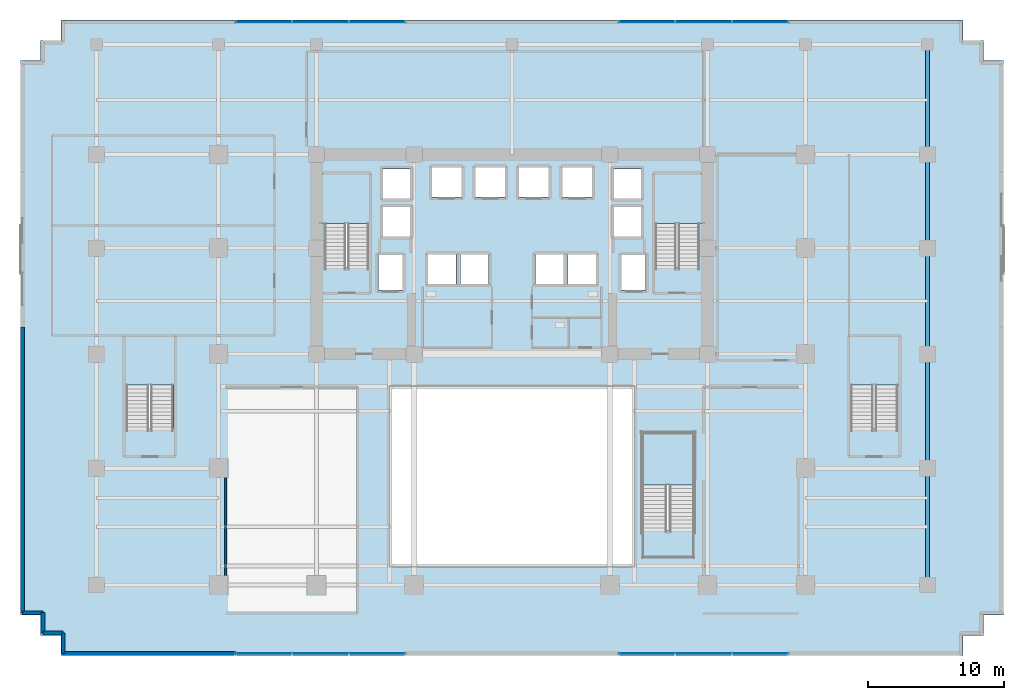
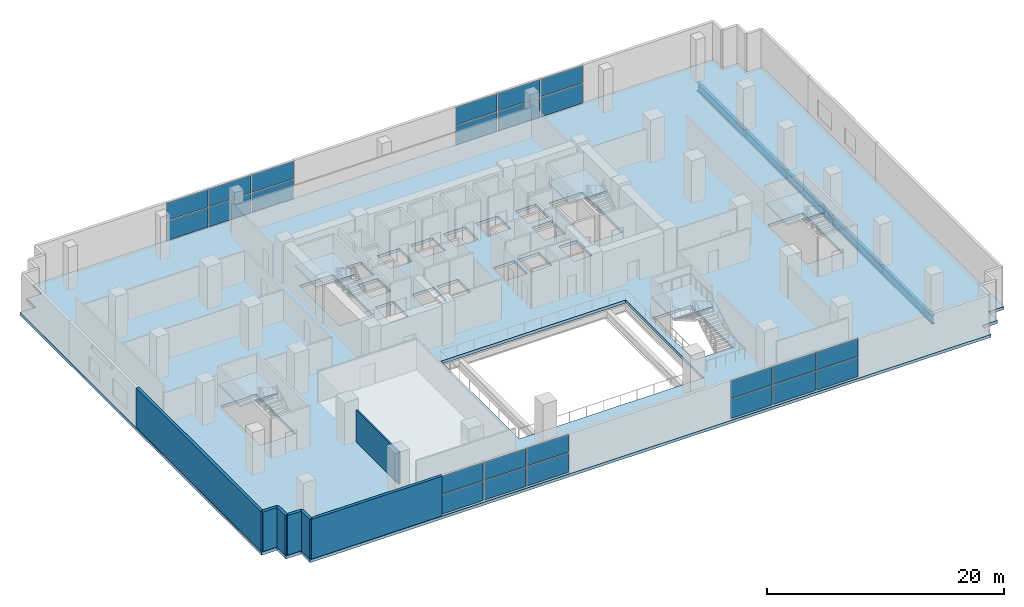
# One storey, part 13 of 21: 24 plates, 7 walls, 6 slabs, 5 beams, 9 elements without a shape of their own.
"""IFC4 building model written with IfcOpenShell, lengths in metres."""

import ifcopenshell
import ifcopenshell.guid

model = None  # the IFC model being written
_history = None  # IfcOwnerHistory: only IFC2X3 demands one
_inside = {}  # id of a spatial element -> (the spatial element, [elements in it])
_under = {}  # id of a project, library or spatial element -> (it, [spatial elements below it])
_declared = {}  # id of a project -> (the project, [libraries it declares])
_typed = {}  # id of a type object -> (the type object, [elements of that type])
_made_of = {}  # id of a material, layer set ... -> (it, [elements and type objects made of it])


def new_model(schema):
    """Start an empty IFC model of exactly this schema.

    Asked for "IFC4X3", IfcOpenShell would pick the latest addendum, in which some entities
    have other attributes; the version numbers below select the first issue.
    IFC2X3 requires an IfcOwnerHistory on every rooted entity: one is made here for all.
    """
    global model, _history
    if schema == "IFC4X3":
        model = ifcopenshell.file(schema_version=(4, 3, 0, 0))
    else:
        model = ifcopenshell.file(schema=schema)
    _inside.clear()
    _under.clear()
    _declared.clear()
    _typed.clear()
    _made_of.clear()
    _history = None
    if model.schema == "IFC2X3":
        org = make("IfcOrganization", Name="unknown")
        user = make(
            "IfcPersonAndOrganization",
            ThePerson=make("IfcPerson", FamilyName="unknown"),
            TheOrganization=org,
        )
        app = make(
            "IfcApplication",
            ApplicationDeveloper=org,
            Version="unknown",
            ApplicationFullName="unknown",
            ApplicationIdentifier="unknown",
        )
        _history = make(
            "IfcOwnerHistory",
            OwningUser=user,
            OwningApplication=app,
            ChangeAction="ADDED",
            CreationDate=0,
        )
    return model


def make(cls, **values):
    """One entity of the class cls with the attributes given. An attribute that is None is left unset."""
    return model.create_entity(
        cls, **{name: value for name, value in values.items() if value is not None}
    )


def rooted(cls, **values):
    """An entity with a GlobalId (a new one), such as an element, a storey or a relation."""
    return make(cls, GlobalId=ifcopenshell.guid.new(), OwnerHistory=_history, **values)


def si_unit(unit_type, name, prefix=None):
    """IfcSIUnit, for example si_unit("LENGTHUNIT", "METRE", prefix="MILLI")."""
    return make("IfcSIUnit", UnitType=unit_type, Prefix=prefix, Name=name)


def assignment(units):
    """IfcUnitAssignment: the units of a project."""
    return None if units is None else make("IfcUnitAssignment", Units=units)


def point(xyz):
    """IfcCartesianPoint."""
    return None if xyz is None else make("IfcCartesianPoint", Coordinates=xyz)


def direction(xyz):
    """IfcDirection."""
    return None if xyz is None else make("IfcDirection", DirectionRatios=xyz)


def frame(location, z_axis=None, x_axis=None):
    """IfcAxis2Placement3D, a coordinate frame: its origin and axes. An axis left out is left unset."""
    return make(
        "IfcAxis2Placement3D",
        Location=point(location),
        Axis=direction(z_axis),
        RefDirection=direction(x_axis),
    )


def frame_2d(location, x_axis=None):
    """IfcAxis2Placement2D, a coordinate frame in the plane: its origin and x axis."""
    return make(
        "IfcAxis2Placement2D", Location=point(location), RefDirection=direction(x_axis)
    )


def origin():
    """The frame at (0, 0, 0) with its axes left unset."""
    return frame((0.0, 0.0, 0.0))


def origin_2d():
    """The frame at (0, 0) in the plane with its x axis left unset."""
    return frame_2d((0.0, 0.0))


def place(relative_to, where):
    """IfcLocalPlacement: puts the frame where relative to a parent placement (None: the world)."""
    return make(
        "IfcLocalPlacement", PlacementRelTo=relative_to, RelativePlacement=where
    )


def context(
    kind, dimensions, precision=None, world=None, true_north=None, identifier=None
):
    """IfcGeometricRepresentationContext, for example the 3D "Model" context."""
    return make(
        "IfcGeometricRepresentationContext",
        ContextIdentifier=identifier,
        ContextType=kind,
        CoordinateSpaceDimension=dimensions,
        Precision=precision,
        WorldCoordinateSystem=world,
        TrueNorth=true_north,
    )


def subcontext(parent, identifier, kind, view, scale=None):
    """IfcGeometricRepresentationSubContext, for example "Body" below "Model"."""
    return make(
        "IfcGeometricRepresentationSubContext",
        ContextIdentifier=identifier,
        ContextType=kind,
        ParentContext=parent,
        TargetScale=scale,
        TargetView=view,
    )


def project(units=None, contexts=None):
    """IfcProject with its units and contexts."""
    return rooted(
        "IfcProject",
        Name="project",
        RepresentationContexts=contexts,
        UnitsInContext=assignment(units),
    )


def spatial(cls, under=None, at=None, **own):
    """A site, building, storey or space (cls), placed at a placement, below another one or the project."""
    s = rooted(cls, ObjectPlacement=at, **own)
    if under is not None:
        _under.setdefault(under.id(), (under, []))[1].append(s)
    return s


def polyline(points):
    """IfcPolyline through the points."""
    return make("IfcPolyline", Points=[point(p) for p in points])


def profile(cls, at=None, kind="AREA", **sizes):
    """A parametric profile (cls). Its sizes go by their IFC names, for example OverallWidth=200.0."""
    return make(cls, ProfileType=kind, Position=at, **sizes)


def rectangle(**sizes):
    """IfcRectangleProfileDef."""
    return profile("IfcRectangleProfileDef", **sizes)


def i_section(**sizes):
    """IfcIShapeProfileDef."""
    return profile("IfcIShapeProfileDef", **sizes)


def outline(outer, holes=None, kind="AREA"):
    """IfcArbitraryClosedProfileDef: a profile drawn as a closed curve; with holes, ...WithVoids."""
    if holes is None:
        return make("IfcArbitraryClosedProfileDef", ProfileType=kind, OuterCurve=outer)
    return make(
        "IfcArbitraryProfileDefWithVoids",
        ProfileType=kind,
        OuterCurve=outer,
        InnerCurves=holes,
    )


def extrude(swept, where, along, depth):
    """IfcExtrudedAreaSolid: the profile swept, set in the frame where, extruded along a direction by depth."""
    return make(
        "IfcExtrudedAreaSolid",
        SweptArea=swept,
        Position=where,
        ExtrudedDirection=direction(along),
        Depth=depth,
    )


def shape(context_of_items, identifier, shape_type, items):
    """IfcShapeRepresentation: the items that make up one representation, for example the "Body"."""
    return make(
        "IfcShapeRepresentation",
        ContextOfItems=context_of_items,
        RepresentationIdentifier=identifier,
        RepresentationType=shape_type,
        Items=items,
    )


def source(mapping_origin, context_of_items, identifier, shape_type, items):
    """IfcRepresentationMap: a shape defined once, which mapped items show again and again."""
    return make(
        "IfcRepresentationMap",
        MappingOrigin=mapping_origin,
        MappedRepresentation=shape(context_of_items, identifier, shape_type, items),
    )


def transform(
    local_origin,
    x_axis=None,
    y_axis=None,
    z_axis=None,
    scale=None,
    scale2=None,
    scale3=None,
    uniform=True,
):
    """IfcCartesianTransformationOperator3D, or its non-uniform kind. x_axis, y_axis, z_axis: its Axis1, 2, 3."""
    if uniform:
        return make(
            "IfcCartesianTransformationOperator3D",
            Axis1=direction(x_axis),
            Axis2=direction(y_axis),
            LocalOrigin=point(local_origin),
            Scale=scale,
            Axis3=direction(z_axis),
        )
    return make(
        "IfcCartesianTransformationOperator3DnonUniform",
        Axis1=direction(x_axis),
        Axis2=direction(y_axis),
        LocalOrigin=point(local_origin),
        Scale=scale,
        Axis3=direction(z_axis),
        Scale2=scale2,
        Scale3=scale3,
    )


def mapped(mapping_source, mapping_target):
    """IfcMappedItem: shows the shape of a source again, moved by a transform."""
    return make(
        "IfcMappedItem", MappingSource=mapping_source, MappingTarget=mapping_target
    )


def material(Name=None, Category=None):
    """IfcMaterial."""
    return make("IfcMaterial", Name=Name, Category=Category)


def layer(
    of_material, thickness, ventilated=None, Name=None, Category=None, Priority=None
):
    """IfcMaterialLayer: one layer of a wall or slab, of a material (None: an air gap)."""
    return make(
        "IfcMaterialLayer",
        Material=of_material,
        LayerThickness=thickness,
        IsVentilated=ventilated,
        Name=Name,
        Category=Category,
        Priority=Priority,
    )


def layer_set(layers, Name=None):
    """IfcMaterialLayerSet."""
    return make("IfcMaterialLayerSet", MaterialLayers=layers, LayerSetName=Name)


def material_profile(
    of_material, cross_section, Name=None, Category=None, Priority=None
):
    """IfcMaterialProfile: a cross section and its material."""
    return make(
        "IfcMaterialProfile",
        Name=Name,
        Material=of_material,
        Profile=cross_section,
        Priority=Priority,
        Category=Category,
    )


def profile_set(profiles, Name=None, composite=None):
    """IfcMaterialProfileSet."""
    return make(
        "IfcMaterialProfileSet",
        Name=Name,
        MaterialProfiles=profiles,
        CompositeProfile=composite,
    )


def made_of(thing, what):
    """Note that an element or type object is made of a material, layer set ...; save() writes the relation."""
    if what is not None:
        _made_of.setdefault(what.id(), (what, []))[1].append(thing)
    return thing


def type_object(cls, material=None, **own):
    """A type object (cls), such as IfcWallType, which elements share."""
    return made_of(rooted(cls, **own), material)


def element(
    cls,
    number,
    at=None,
    inside=None,
    cuts=None,
    type_object=None,
    material=None,
    context=None,
    identifier="Body",
    shape_type=None,
    held_by="IfcProductDefinitionShape",
    body=None,
    shapes=None,
    **own,
):
    """One element of the class cls, such as IfcWall. Its Tag is "e" and its number.

    at: its placement. inside: the storey or other place that contains it. cuts: it is an
    opening in that element (IfcRelVoidsElement). A single representation is given by context,
    identifier, shape_type and body (its items); several are given by shapes. held_by: the class
    of the entity that holds the representations. save() writes the other relations.
    """
    e = rooted(cls, Tag="e%d" % number, ObjectPlacement=at, **own)
    if body is not None:
        shapes = [shape(context, identifier, shape_type, body)]
    if shapes is not None:
        e.Representation = make(held_by, Representations=shapes)
    if inside is not None:
        _inside.setdefault(inside.id(), (inside, []))[1].append(e)
    if cuts is not None:
        rooted(
            "IfcRelVoidsElement", RelatingBuildingElement=cuts, RelatedOpeningElement=e
        )
    if type_object is not None:
        _typed.setdefault(type_object.id(), (type_object, []))[1].append(e)
    return made_of(e, material)


def aggregate(whole, parts):
    """IfcRelAggregates: a whole, such as a stair, and the parts it consists of."""
    return rooted("IfcRelAggregates", RelatingObject=whole, RelatedObjects=parts)


def save(model, path):
    """Write the relations noted so far, then the file.

    IfcRelAggregates (storeys below a building ...), IfcRelContainedInSpatialStructure (elements
    in a storey), IfcRelDefinesByType, IfcRelAssociatesMaterial and IfcRelDeclares: one each for
    every whole, place, type object, material and project.
    """
    for whole, parts in _under.values():
        aggregate(whole, parts)
    for where, things in _inside.values():
        rooted(
            "IfcRelContainedInSpatialStructure",
            RelatedElements=things,
            RelatingStructure=where,
        )
    for kind, things in _typed.values():
        rooted("IfcRelDefinesByType", RelatedObjects=things, RelatingType=kind)
    for what, things in _made_of.values():
        rooted("IfcRelAssociatesMaterial", RelatedObjects=things, RelatingMaterial=what)
    for by, libraries in _declared.values():
        rooted("IfcRelDeclares", RelatingContext=by, RelatedDefinitions=libraries)
    model.write(path)


model = new_model("IFC4")

# Units and contexts
model_context = context("Model", 3, precision=1e-05, world=origin(), true_north=direction((0.0, 1.0)))
body_context = subcontext(model_context, "Body", "Model", "MODEL_VIEW")
ifc_project = project(units=[si_unit("LENGTHUNIT", "METRE"), si_unit("AREAUNIT", "SQUARE_METRE"), si_unit("VOLUMEUNIT", "CUBIC_METRE"), si_unit("PLANEANGLEUNIT", "RADIAN"), si_unit("MASSUNIT", "GRAM", prefix="KILO")], contexts=[model_context])

# Site, building, storey
site_placement = place(None, origin())
site = spatial("IfcSite", under=ifc_project, at=site_placement, CompositionType="ELEMENT")
building_placement = place(site_placement, origin())
building = spatial("IfcBuilding", under=site, at=building_placement, Name="Zarnakvel Exchange Tower", CompositionType="ELEMENT")
storey_placement = place(building_placement, frame((0.0, 0.0, 18.199951171875)))
storey = spatial("IfcBuildingStorey", under=building, at=storey_placement, Name="L04", CompositionType="ELEMENT", Elevation=18.199951171875)

# Beams
ifc_material_1 = material(Name="Steel S355", Category="steel")
ifc_material_profile = material_profile(ifc_material_1, i_section(OverallWidth=0.300048828125, OverallDepth=0.89990234375, WebThickness=0.0185546875, FlangeThickness=0.034912109375, FilletRadius=0.030029296875, at=origin_2d()))
ifc_profile_set = profile_set([ifc_material_profile], Name="Steel S355")
beam_type = type_object("IfcBeamType", Name="G-01", PredefinedType="BEAM", material=ifc_profile_set)
beam_1_placement = place(storey_placement, frame((30.60009765625, -18.199951171875, -0.75), z_axis=(0.0, 1.0, 0.0), x_axis=(-1.0, 0.0, 0.0)))
element("IfcBeam", 1, at=beam_1_placement, inside=storey, type_object=beam_type, Name="L04 Primary N-S Girder X=+30.6", PredefinedType="BEAM", context=body_context, shape_type="SweptSolid", body=[
    extrude(i_section(OverallWidth=0.300048828125, OverallDepth=0.89990234375, WebThickness=0.0185546875, FlangeThickness=0.034912109375, FilletRadius=0.030029296875, at=origin_2d()), origin(), (0.0, 0.0, 1.0), 8.599853515625),
])
beam_2_placement = place(storey_placement, frame((30.60009765625, -9.60009765625, -0.75), z_axis=(0.0, 1.0, 0.0), x_axis=(-1.0, 0.0, 0.0)))
element("IfcBeam", 2, at=beam_2_placement, inside=storey, type_object=beam_type, Name="L04 Primary N-S Girder X=+30.6", PredefinedType="BEAM", context=body_context, shape_type="SweptSolid", body=[
    extrude(i_section(OverallWidth=0.300048828125, OverallDepth=0.89990234375, WebThickness=0.0185546875, FlangeThickness=0.034912109375, FilletRadius=0.030029296875, at=origin_2d()), origin(), (0.0, 0.0, 1.0), 8.400146484375),
])
beam_3_placement = place(storey_placement, frame((30.60009765625, -1.199951171875, -0.75), z_axis=(0.0, 1.0, 0.0), x_axis=(-1.0, 0.0, 0.0)))
element("IfcBeam", 3, at=beam_3_placement, inside=storey, type_object=beam_type, Name="L04 Primary N-S Girder X=+30.6", PredefinedType="BEAM", context=body_context, shape_type="SweptSolid", body=[
    extrude(i_section(OverallWidth=0.300048828125, OverallDepth=0.89990234375, WebThickness=0.0185546875, FlangeThickness=0.034912109375, FilletRadius=0.030029296875, at=origin_2d()), origin(), (0.0, 0.0, 1.0), 7.800048828125),
])
beam_4_placement = place(storey_placement, frame((30.60009765625, 6.60009765625, -0.75), z_axis=(0.0, 1.0, 0.0), x_axis=(-1.0, 0.0, 0.0)))
element("IfcBeam", 4, at=beam_4_placement, inside=storey, type_object=beam_type, Name="L04 Primary N-S Girder X=+30.6", PredefinedType="BEAM", context=body_context, shape_type="SweptSolid", body=[
    extrude(i_section(OverallWidth=0.300048828125, OverallDepth=0.89990234375, WebThickness=0.0185546875, FlangeThickness=0.034912109375, FilletRadius=0.030029296875, at=origin_2d()), origin(), (0.0, 0.0, 1.0), 6.89990234375),
])
beam_5_placement = place(storey_placement, frame((30.60009765625, 13.5, -0.75), z_axis=(0.0, 1.0, 0.0), x_axis=(-1.0, 0.0, 0.0)))
element("IfcBeam", 5, at=beam_5_placement, inside=storey, type_object=beam_type, Name="L04 Primary N-S Girder X=+30.6", PredefinedType="BEAM", context=body_context, shape_type="SweptSolid", body=[
    extrude(i_section(OverallWidth=0.300048828125, OverallDepth=0.89990234375, WebThickness=0.0185546875, FlangeThickness=0.034912109375, FilletRadius=0.030029296875, at=origin_2d()), origin(), (0.0, 0.0, 1.0), 8.10009765625),
])

# Stair, slab
ifc_material_2 = material(Name="Concrete C40/50", Category="concrete")
stair_type_1 = type_object("IfcStairType", Name="STR-01", PredefinedType="HALF_TURN_STAIR", material=ifc_material_2)
stair_1_placement = place(storey_placement, origin())
stair_1 = element("IfcStair", 6, at=stair_1_placement, inside=storey, type_object=stair_type_1, Name="L04 Protected Core Exit Stair ST-01", PredefinedType="HALF_TURN_STAIR")
ifc_layer_1 = layer(ifc_material_2, 0.199951171875)
ifc_layer_set_1 = layer_set([ifc_layer_1], Name="Concrete C40/50")
slab_type_1 = type_object("IfcSlabType", Name="LDG-01", PredefinedType="LANDING", material=ifc_layer_set_1)
slab_1_placement = place(storey_placement, frame((0.0, 0.0, 2.0)))
slab_1 = element("IfcSlab", 7, at=slab_1_placement, type_object=slab_type_1, Name="ST-01 landing 1", PredefinedType="LANDING", context=body_context, shape_type="SweptSolid", body=[
    extrude(outline(polyline([(-14.18994140625, 8.409912109375), (-10.4599609375, 8.409912109375), (-10.4599609375, 12.080078125), (-14.18994140625, 12.080078125), (-14.18994140625, 8.409912109375)])), origin(), (0.0, 0.0, 1.0), 0.199951171875),
])
aggregate(stair_1, [slab_1])

stair_2_placement = place(storey_placement, origin())
stair_2 = element("IfcStair", 8, at=stair_2_placement, inside=storey, type_object=stair_type_1, Name="L04 Protected Core Exit Stair ST-02", PredefinedType="HALF_TURN_STAIR")
slab_2_placement = place(storey_placement, frame((0.0, 0.0, 2.0)))
slab_2 = element("IfcSlab", 9, at=slab_2_placement, type_object=slab_type_1, Name="ST-02 landing 1", PredefinedType="LANDING", context=body_context, shape_type="SweptSolid", body=[
    extrude(outline(polyline([(10.4599609375, 8.409912109375), (14.18994140625, 8.409912109375), (14.18994140625, 12.080078125), (10.4599609375, 12.080078125), (10.4599609375, 8.409912109375)])), origin(), (0.0, 0.0, 1.0), 0.199951171875),
])
aggregate(stair_2, [slab_2])

stair_type_2 = type_object("IfcStairType", Name="STR-02", PredefinedType="HALF_TURN_STAIR", material=ifc_material_2)
stair_3_placement = place(storey_placement, origin())
stair_3 = element("IfcStair", 10, at=stair_3_placement, inside=storey, type_object=stair_type_2, Name="L04 Podium West Exit Stair ST-03", PredefinedType="HALF_TURN_STAIR")
slab_3_placement = place(storey_placement, frame((0.0, 0.0, 2.0)))
slab_3 = element("IfcSlab", 11, at=slab_3_placement, type_object=slab_type_1, Name="ST-03 landing 1", PredefinedType="LANDING", context=body_context, shape_type="SweptSolid", body=[
    extrude(outline(polyline([(-28.5, -3.489990234375), (-24.840087890625, -3.489990234375), (-24.840087890625, 0.10009765625), (-28.5, 0.10009765625), (-28.5, -3.489990234375)])), origin(), (0.0, 0.0, 1.0), 0.199951171875),
])
aggregate(stair_3, [slab_3])

stair_4_placement = place(storey_placement, origin())
stair_4 = element("IfcStair", 12, at=stair_4_placement, inside=storey, type_object=stair_type_2, Name="L04 Podium East Exit Stair ST-04", PredefinedType="HALF_TURN_STAIR")
slab_4_placement = place(storey_placement, frame((0.0, 0.0, 2.0)))
slab_4 = element("IfcSlab", 13, at=slab_4_placement, type_object=slab_type_1, Name="ST-04 landing 1", PredefinedType="LANDING", context=body_context, shape_type="SweptSolid", body=[
    extrude(outline(polyline([(24.840087890625, -3.489990234375), (28.5, -3.489990234375), (28.5, 0.10009765625), (24.840087890625, 0.10009765625), (24.840087890625, -3.489990234375)])), origin(), (0.0, 0.0, 1.0), 0.199951171875),
])
aggregate(stair_4, [slab_4])

stair_type_3 = type_object("IfcStairType", Name="STR-04", PredefinedType="HALF_TURN_STAIR", material=ifc_material_2)
stair_5_placement = place(storey_placement, origin())
stair_5 = element("IfcStair", 14, at=stair_5_placement, inside=storey, type_object=stair_type_3, Name="L04 Exchange Concourse Atrium Feature Stair ST-06", PredefinedType="HALF_TURN_STAIR")
slab_5_placement = place(storey_placement, frame((0.0, 0.0, 2.0)))
slab_5 = element("IfcSlab", 15, at=slab_5_placement, type_object=slab_type_1, Name="ST-06 landing 1", PredefinedType="LANDING", context=body_context, shape_type="SweptSolid", body=[
    extrude(outline(polyline([(9.580078125, -10.820068359375), (13.419921875, -10.820068359375), (13.419921875, -6.97998046875), (9.580078125, -6.97998046875), (9.580078125, -10.820068359375)])), origin(), (0.0, 0.0, 1.0), 0.199951171875),
])
aggregate(stair_5, [slab_5])

# Slab
ifc_layer_2 = layer(ifc_material_2, 0.300048828125)
ifc_layer_set_2 = layer_set([ifc_layer_2], Name="Concrete C40/50")
slab_type_2 = type_object("IfcSlabType", Name="SL-01", PredefinedType="FLOOR", material=ifc_layer_set_2)
slab_6_placement = place(storey_placement, frame((0.0, 0.0, -0.300048828125)))
element("IfcSlab", 16, at=slab_6_placement, inside=storey, type_object=slab_type_2, Name="L04 Primary Structural Floor Slab", PredefinedType="FLOOR", context=body_context, shape_type="SweptSolid", body=[
    extrude(outline(polyline([(-36.199951171875, -20.39990234375), (-34.699951171875, -20.39990234375), (-34.699951171875, -21.89990234375), (-33.199951171875, -21.89990234375), (-33.199951171875, -23.39990234375), (33.199951171875, -23.39990234375), (33.199951171875, -21.89990234375), (34.699951171875, -21.89990234375), (34.699951171875, -20.39990234375), (36.199951171875, -20.39990234375), (36.199951171875, 20.39990234375), (34.699951171875, 20.39990234375), (34.699951171875, 21.89990234375), (33.199951171875, 21.89990234375), (33.199951171875, 23.39990234375), (-33.199951171875, 23.39990234375), (-33.199951171875, 21.89990234375), (-34.699951171875, 21.89990234375), (-34.699951171875, 20.39990234375), (-36.199951171875, 20.39990234375), (-36.199951171875, -20.39990234375)]), holes=[polyline([(-9.0, -16.800048828125), (9.0, -16.800048828125), (9.0, -3.60009765625), (-9.0, -3.60009765625), (-9.0, -16.800048828125)]), polyline([(-13.800048828125, 5.2099609375), (-10.5400390625, 5.2099609375), (-10.5400390625, 12.0), (-13.800048828125, 12.0), (-13.800048828125, 5.2099609375)]), polyline([(10.5400390625, 5.2099609375), (13.800048828125, 5.2099609375), (13.800048828125, 12.0), (10.5400390625, 12.0), (10.5400390625, 5.2099609375)]), polyline([(-28.39990234375, -6.68994140625), (-24.93994140625, -6.68994140625), (-24.93994140625, 0.0), (-28.39990234375, 0.0), (-28.39990234375, -6.68994140625)]), polyline([(24.93994140625, -6.68994140625), (28.39990234375, -6.68994140625), (28.39990234375, 0.0), (24.93994140625, 0.0), (24.93994140625, -6.68994140625)]), polyline([(9.60009765625, -14.139892578125), (13.39990234375, -14.139892578125), (13.39990234375, -7.0), (9.60009765625, -7.0), (9.60009765625, -14.139892578125)]), polyline([(-9.830078125, 3.52001953125), (-8.070068359375, 3.52001953125), (-8.070068359375, 6.080078125), (-9.830078125, 6.080078125), (-9.830078125, 3.52001953125)]), polyline([(8.070068359375, 3.52001953125), (9.830078125, 3.52001953125), (9.830078125, 6.080078125), (8.070068359375, 6.080078125), (8.070068359375, 3.52001953125)]), polyline([(-5.8798828125, 10.3701171875), (-3.719970703125, 10.3701171875), (-3.719970703125, 12.530029296875), (-5.8798828125, 12.530029296875), (-5.8798828125, 10.3701171875)]), polyline([(-2.679931640625, 10.3701171875), (-0.52001953125, 10.3701171875), (-0.52001953125, 12.530029296875), (-2.679931640625, 12.530029296875), (-2.679931640625, 10.3701171875)]), polyline([(0.52001953125, 10.3701171875), (2.679931640625, 10.3701171875), (2.679931640625, 12.530029296875), (0.52001953125, 12.530029296875), (0.52001953125, 10.3701171875)]), polyline([(3.719970703125, 10.3701171875), (5.8798828125, 10.3701171875), (5.8798828125, 12.530029296875), (3.719970703125, 12.530029296875), (3.719970703125, 10.3701171875)]), polyline([(-6.179931640625, 3.969970703125), (-4.1201171875, 3.969970703125), (-4.1201171875, 6.1298828125), (-6.179931640625, 6.1298828125), (-6.179931640625, 3.969970703125)]), polyline([(-3.780029296875, 3.969970703125), (-1.719970703125, 3.969970703125), (-1.719970703125, 6.1298828125), (-3.780029296875, 6.1298828125), (-3.780029296875, 3.969970703125)]), polyline([(1.719970703125, 3.969970703125), (3.780029296875, 3.969970703125), (3.780029296875, 6.1298828125), (1.719970703125, 6.1298828125), (1.719970703125, 3.969970703125)]), polyline([(4.1201171875, 3.969970703125), (6.179931640625, 3.969970703125), (6.179931640625, 6.1298828125), (4.1201171875, 6.1298828125), (4.1201171875, 3.969970703125)]), polyline([(-9.47998046875, 7.469970703125), (-7.52001953125, 7.469970703125), (-7.52001953125, 9.6298828125), (-9.47998046875, 9.6298828125), (-9.47998046875, 7.469970703125)]), polyline([(-9.47998046875, 10.27001953125), (-7.52001953125, 10.27001953125), (-7.52001953125, 12.429931640625), (-9.47998046875, 12.429931640625), (-9.47998046875, 10.27001953125)]), polyline([(7.52001953125, 7.469970703125), (9.47998046875, 7.469970703125), (9.47998046875, 9.6298828125), (7.52001953125, 9.6298828125), (7.52001953125, 7.469970703125)]), polyline([(7.52001953125, 10.27001953125), (9.47998046875, 10.27001953125), (9.47998046875, 12.429931640625), (7.52001953125, 12.429931640625), (7.52001953125, 10.27001953125)])]), origin(), (0.0, 0.0, 1.0), 0.300048828125),
])

# Curtain wall, plates
ifc_material_3 = material(Name="Architectural Bronze Anodised Aluminium", Category="aluminium")
ifc_layer_3 = layer(ifc_material_3, 0.260009765625)
ifc_layer_set_3 = layer_set([ifc_layer_3], Name="Architectural Bronze Anodised Aluminium")
curtain_wall_type = type_object("IfcCurtainWallType", Name="CW-01", PredefinedType="NOTDEFINED", material=ifc_layer_set_3)
curtain_wall_1_placement = place(storey_placement, origin())
curtain_wall_1 = element("IfcCurtainWall", 17, at=curtain_wall_1_placement, inside=storey, type_object=curtain_wall_type, Name="L04 Curtain Wall CW-L04-S1 (CW-01)", PredefinedType="NOTDEFINED")
ifc_material_4 = material(Name="Double Low-E Laminated Vision Glass", Category="glass")
ifc_layer_4 = layer(ifc_material_4, 0.035888671875)
ifc_layer_set_4 = layer_set([ifc_layer_4], Name="Double Low-E Laminated Vision Glass")
plate_type = type_object("IfcPlateType", Name="CWP-01", PredefinedType="CURTAIN_PANEL", material=ifc_layer_set_4)
shared_shape_1 = source(origin(), body_context, "Body", "SweptSolid", [
    extrude(rectangle(XDim=4.050048828125, YDim=0.035888671875, at=origin_2d()), origin(), (0.0, 0.0, 1.0), 1.986572265625),
])
plate_1_placement = place(storey_placement, frame((-18.27490234375, -23.239990234375, 0.08984375), z_axis=(0.0, 0.0, 1.0), x_axis=(1.0, 0.0, 0.0)))
plate_1 = element("IfcPlate", 18, at=plate_1_placement, type_object=plate_type, Name="CW-01 panel 1.1", PredefinedType="CURTAIN_PANEL", context=body_context, shape_type="MappedRepresentation", body=[
    mapped(shared_shape_1, transform((0.0, 0.0, 0.0), x_axis=(1.0, 0.0, 0.0), y_axis=(0.0, 1.0, 0.0), z_axis=(0.0, 0.0, 1.0), scale=1.0)),
])
plate_2_placement = place(storey_placement, frame((-9.925048828125, -23.239990234375, 0.08984375), z_axis=(0.0, 0.0, 1.0), x_axis=(1.0, 0.0, 0.0)))
plate_2 = element("IfcPlate", 19, at=plate_2_placement, type_object=plate_type, Name="CW-01 panel 3.1", PredefinedType="CURTAIN_PANEL", context=body_context, shape_type="MappedRepresentation", body=[
    mapped(shared_shape_1, transform((0.0, 0.0, 0.0), x_axis=(1.0, 0.0, 0.0), y_axis=(0.0, 1.0, 0.0), z_axis=(0.0, 0.0, 1.0), scale=1.0)),
])

curtain_wall_2_placement = place(storey_placement, origin())
curtain_wall_2 = element("IfcCurtainWall", 20, at=curtain_wall_2_placement, inside=storey, type_object=curtain_wall_type, Name="L04 Curtain Wall CW-L04-S2 (CW-01)", PredefinedType="NOTDEFINED")
plate_3_placement = place(storey_placement, frame((9.925048828125, -23.239990234375, 0.08984375), z_axis=(0.0, 0.0, 1.0), x_axis=(1.0, 0.0, 0.0)))
plate_3 = element("IfcPlate", 21, at=plate_3_placement, type_object=plate_type, Name="CW-01 panel 1.1", PredefinedType="CURTAIN_PANEL", context=body_context, shape_type="MappedRepresentation", body=[
    mapped(shared_shape_1, transform((0.0, 0.0, 0.0), x_axis=(1.0, 0.0, 0.0), y_axis=(0.0, 1.0, 0.0), z_axis=(0.0, 0.0, 1.0), scale=1.0)),
])
plate_4_placement = place(storey_placement, frame((18.27490234375, -23.239990234375, 0.08984375), z_axis=(0.0, 0.0, 1.0), x_axis=(1.0, 0.0, 0.0)))
plate_4 = element("IfcPlate", 22, at=plate_4_placement, type_object=plate_type, Name="CW-01 panel 3.1", PredefinedType="CURTAIN_PANEL", context=body_context, shape_type="MappedRepresentation", body=[
    mapped(shared_shape_1, transform((0.0, 0.0, 0.0), x_axis=(1.0, 0.0, 0.0), y_axis=(0.0, 1.0, 0.0), z_axis=(0.0, 0.0, 1.0), scale=1.0)),
])

curtain_wall_3_placement = place(storey_placement, origin())
curtain_wall_3 = element("IfcCurtainWall", 23, at=curtain_wall_3_placement, inside=storey, type_object=curtain_wall_type, Name="L04 Curtain Wall CW-L04-N1 (CW-01)", PredefinedType="NOTDEFINED")
plate_5_placement = place(storey_placement, frame((-18.27490234375, 23.239990234375, 0.08984375), z_axis=(0.0, 0.0, 1.0), x_axis=(1.0, 0.0, 0.0)))
plate_5 = element("IfcPlate", 24, at=plate_5_placement, type_object=plate_type, Name="CW-01 panel 1.1", PredefinedType="CURTAIN_PANEL", context=body_context, shape_type="MappedRepresentation", body=[
    mapped(shared_shape_1, transform((0.0, 0.0, 0.0), x_axis=(1.0, 0.0, 0.0), y_axis=(0.0, 1.0, 0.0), z_axis=(0.0, 0.0, 1.0), scale=1.0)),
])
plate_6_placement = place(storey_placement, frame((-9.925048828125, 23.239990234375, 0.08984375), z_axis=(0.0, 0.0, 1.0), x_axis=(1.0, 0.0, 0.0)))
plate_6 = element("IfcPlate", 25, at=plate_6_placement, type_object=plate_type, Name="CW-01 panel 3.1", PredefinedType="CURTAIN_PANEL", context=body_context, shape_type="MappedRepresentation", body=[
    mapped(shared_shape_1, transform((0.0, 0.0, 0.0), x_axis=(1.0, 0.0, 0.0), y_axis=(0.0, 1.0, 0.0), z_axis=(0.0, 0.0, 1.0), scale=1.0)),
])

curtain_wall_4_placement = place(storey_placement, origin())
curtain_wall_4 = element("IfcCurtainWall", 26, at=curtain_wall_4_placement, inside=storey, type_object=curtain_wall_type, Name="L04 Curtain Wall CW-L04-N2 (CW-01)", PredefinedType="NOTDEFINED")
plate_7_placement = place(storey_placement, frame((9.925048828125, 23.239990234375, 0.08984375), z_axis=(0.0, 0.0, 1.0), x_axis=(1.0, 0.0, 0.0)))
plate_7 = element("IfcPlate", 27, at=plate_7_placement, type_object=plate_type, Name="CW-01 panel 1.1", PredefinedType="CURTAIN_PANEL", context=body_context, shape_type="MappedRepresentation", body=[
    mapped(shared_shape_1, transform((0.0, 0.0, 0.0), x_axis=(1.0, 0.0, 0.0), y_axis=(0.0, 1.0, 0.0), z_axis=(0.0, 0.0, 1.0), scale=1.0)),
])
plate_8_placement = place(storey_placement, frame((18.27490234375, 23.239990234375, 0.08984375), z_axis=(0.0, 0.0, 1.0), x_axis=(1.0, 0.0, 0.0)))
plate_8 = element("IfcPlate", 28, at=plate_8_placement, type_object=plate_type, Name="CW-01 panel 3.1", PredefinedType="CURTAIN_PANEL", context=body_context, shape_type="MappedRepresentation", body=[
    mapped(shared_shape_1, transform((0.0, 0.0, 0.0), x_axis=(1.0, 0.0, 0.0), y_axis=(0.0, 1.0, 0.0), z_axis=(0.0, 0.0, 1.0), scale=1.0)),
])

# Plate
shared_shape_2 = source(origin(), body_context, "Body", "SweptSolid", [
    extrude(rectangle(XDim=4.050048828125, YDim=0.035888671875, at=origin_2d()), origin(), (0.0, 0.0, 1.0), 1.823486328125),
])
plate_9_placement = place(storey_placement, frame((-18.27490234375, -23.239990234375, 2.16650390625), z_axis=(0.0, 0.0, 1.0), x_axis=(1.0, 0.0, 0.0)))
plate_9 = element("IfcPlate", 29, at=plate_9_placement, type_object=plate_type, Name="CW-01 panel 1.2", PredefinedType="CURTAIN_PANEL", context=body_context, shape_type="MappedRepresentation", body=[
    mapped(shared_shape_2, transform((0.0, 0.0, 0.0), x_axis=(1.0, 0.0, 0.0), y_axis=(0.0, 1.0, 0.0), z_axis=(0.0, 0.0, 1.0), scale=1.0)),
])

plate_10_placement = place(storey_placement, frame((-9.925048828125, -23.239990234375, 2.16650390625), z_axis=(0.0, 0.0, 1.0), x_axis=(1.0, 0.0, 0.0)))
plate_10 = element("IfcPlate", 30, at=plate_10_placement, type_object=plate_type, Name="CW-01 panel 3.2", PredefinedType="CURTAIN_PANEL", context=body_context, shape_type="MappedRepresentation", body=[
    mapped(shared_shape_2, transform((0.0, 0.0, 0.0), x_axis=(1.0, 0.0, 0.0), y_axis=(0.0, 1.0, 0.0), z_axis=(0.0, 0.0, 1.0), scale=1.0)),
])

plate_11_placement = place(storey_placement, frame((9.925048828125, -23.239990234375, 2.16650390625), z_axis=(0.0, 0.0, 1.0), x_axis=(1.0, 0.0, 0.0)))
plate_11 = element("IfcPlate", 31, at=plate_11_placement, type_object=plate_type, Name="CW-01 panel 1.2", PredefinedType="CURTAIN_PANEL", context=body_context, shape_type="MappedRepresentation", body=[
    mapped(shared_shape_2, transform((0.0, 0.0, 0.0), x_axis=(1.0, 0.0, 0.0), y_axis=(0.0, 1.0, 0.0), z_axis=(0.0, 0.0, 1.0), scale=1.0)),
])

plate_12_placement = place(storey_placement, frame((18.27490234375, -23.239990234375, 2.16650390625), z_axis=(0.0, 0.0, 1.0), x_axis=(1.0, 0.0, 0.0)))
plate_12 = element("IfcPlate", 32, at=plate_12_placement, type_object=plate_type, Name="CW-01 panel 3.2", PredefinedType="CURTAIN_PANEL", context=body_context, shape_type="MappedRepresentation", body=[
    mapped(shared_shape_2, transform((0.0, 0.0, 0.0), x_axis=(1.0, 0.0, 0.0), y_axis=(0.0, 1.0, 0.0), z_axis=(0.0, 0.0, 1.0), scale=1.0)),
])

plate_13_placement = place(storey_placement, frame((-18.27490234375, 23.239990234375, 2.16650390625), z_axis=(0.0, 0.0, 1.0), x_axis=(1.0, 0.0, 0.0)))
plate_13 = element("IfcPlate", 33, at=plate_13_placement, type_object=plate_type, Name="CW-01 panel 1.2", PredefinedType="CURTAIN_PANEL", context=body_context, shape_type="MappedRepresentation", body=[
    mapped(shared_shape_2, transform((0.0, 0.0, 0.0), x_axis=(1.0, 0.0, 0.0), y_axis=(0.0, 1.0, 0.0), z_axis=(0.0, 0.0, 1.0), scale=1.0)),
])

plate_14_placement = place(storey_placement, frame((-9.925048828125, 23.239990234375, 2.16650390625), z_axis=(0.0, 0.0, 1.0), x_axis=(1.0, 0.0, 0.0)))
plate_14 = element("IfcPlate", 34, at=plate_14_placement, type_object=plate_type, Name="CW-01 panel 3.2", PredefinedType="CURTAIN_PANEL", context=body_context, shape_type="MappedRepresentation", body=[
    mapped(shared_shape_2, transform((0.0, 0.0, 0.0), x_axis=(1.0, 0.0, 0.0), y_axis=(0.0, 1.0, 0.0), z_axis=(0.0, 0.0, 1.0), scale=1.0)),
])

plate_15_placement = place(storey_placement, frame((9.925048828125, 23.239990234375, 2.16650390625), z_axis=(0.0, 0.0, 1.0), x_axis=(1.0, 0.0, 0.0)))
plate_15 = element("IfcPlate", 35, at=plate_15_placement, type_object=plate_type, Name="CW-01 panel 1.2", PredefinedType="CURTAIN_PANEL", context=body_context, shape_type="MappedRepresentation", body=[
    mapped(shared_shape_2, transform((0.0, 0.0, 0.0), x_axis=(1.0, 0.0, 0.0), y_axis=(0.0, 1.0, 0.0), z_axis=(0.0, 0.0, 1.0), scale=1.0)),
])

plate_16_placement = place(storey_placement, frame((18.27490234375, 23.239990234375, 2.16650390625), z_axis=(0.0, 0.0, 1.0), x_axis=(1.0, 0.0, 0.0)))
plate_16 = element("IfcPlate", 36, at=plate_16_placement, type_object=plate_type, Name="CW-01 panel 3.2", PredefinedType="CURTAIN_PANEL", context=body_context, shape_type="MappedRepresentation", body=[
    mapped(shared_shape_2, transform((0.0, 0.0, 0.0), x_axis=(1.0, 0.0, 0.0), y_axis=(0.0, 1.0, 0.0), z_axis=(0.0, 0.0, 1.0), scale=1.0)),
])

shared_shape_3 = source(origin(), body_context, "Body", "SweptSolid", [
    extrude(rectangle(XDim=4.10009765625, YDim=0.035888671875, at=origin_2d()), origin(), (0.0, 0.0, 1.0), 1.986572265625),
])
plate_17_placement = place(storey_placement, frame((-14.10009765625, -23.239990234375, 0.08984375), z_axis=(0.0, 0.0, 1.0), x_axis=(1.0, 0.0, 0.0)))
plate_17 = element("IfcPlate", 37, at=plate_17_placement, type_object=plate_type, Name="CW-01 panel 2.1", PredefinedType="CURTAIN_PANEL", context=body_context, shape_type="MappedRepresentation", body=[
    mapped(shared_shape_3, transform((0.0, 0.0, 0.0), x_axis=(1.0, 0.0, 0.0), y_axis=(0.0, 1.0, 0.0), z_axis=(0.0, 0.0, 1.0), scale=1.0)),
])

plate_18_placement = place(storey_placement, frame((14.10009765625, -23.239990234375, 0.08984375), z_axis=(0.0, 0.0, 1.0), x_axis=(1.0, 0.0, 0.0)))
plate_18 = element("IfcPlate", 38, at=plate_18_placement, type_object=plate_type, Name="CW-01 panel 2.1", PredefinedType="CURTAIN_PANEL", context=body_context, shape_type="MappedRepresentation", body=[
    mapped(shared_shape_3, transform((0.0, 0.0, 0.0), x_axis=(1.0, 0.0, 0.0), y_axis=(0.0, 1.0, 0.0), z_axis=(0.0, 0.0, 1.0), scale=1.0)),
])

plate_19_placement = place(storey_placement, frame((-14.10009765625, 23.239990234375, 0.08984375), z_axis=(0.0, 0.0, 1.0), x_axis=(1.0, 0.0, 0.0)))
plate_19 = element("IfcPlate", 39, at=plate_19_placement, type_object=plate_type, Name="CW-01 panel 2.1", PredefinedType="CURTAIN_PANEL", context=body_context, shape_type="MappedRepresentation", body=[
    mapped(shared_shape_3, transform((0.0, 0.0, 0.0), x_axis=(1.0, 0.0, 0.0), y_axis=(0.0, 1.0, 0.0), z_axis=(0.0, 0.0, 1.0), scale=1.0)),
])

plate_20_placement = place(storey_placement, frame((14.10009765625, 23.239990234375, 0.08984375), z_axis=(0.0, 0.0, 1.0), x_axis=(1.0, 0.0, 0.0)))
plate_20 = element("IfcPlate", 40, at=plate_20_placement, type_object=plate_type, Name="CW-01 panel 2.1", PredefinedType="CURTAIN_PANEL", context=body_context, shape_type="MappedRepresentation", body=[
    mapped(shared_shape_3, transform((0.0, 0.0, 0.0), x_axis=(1.0, 0.0, 0.0), y_axis=(0.0, 1.0, 0.0), z_axis=(0.0, 0.0, 1.0), scale=1.0)),
])

shared_shape_4 = source(origin(), body_context, "Body", "SweptSolid", [
    extrude(rectangle(XDim=4.10009765625, YDim=0.035888671875, at=origin_2d()), origin(), (0.0, 0.0, 1.0), 1.823486328125),
])
plate_21_placement = place(storey_placement, frame((-14.10009765625, -23.239990234375, 2.16650390625), z_axis=(0.0, 0.0, 1.0), x_axis=(1.0, 0.0, 0.0)))
plate_21 = element("IfcPlate", 41, at=plate_21_placement, type_object=plate_type, Name="CW-01 panel 2.2", PredefinedType="CURTAIN_PANEL", context=body_context, shape_type="MappedRepresentation", body=[
    mapped(shared_shape_4, transform((0.0, 0.0, 0.0), x_axis=(1.0, 0.0, 0.0), y_axis=(0.0, 1.0, 0.0), z_axis=(0.0, 0.0, 1.0), scale=1.0)),
])

aggregate(curtain_wall_1, [plate_1, plate_9, plate_17, plate_21, plate_2, plate_10])

plate_22_placement = place(storey_placement, frame((14.10009765625, -23.239990234375, 2.16650390625), z_axis=(0.0, 0.0, 1.0), x_axis=(1.0, 0.0, 0.0)))
plate_22 = element("IfcPlate", 42, at=plate_22_placement, type_object=plate_type, Name="CW-01 panel 2.2", PredefinedType="CURTAIN_PANEL", context=body_context, shape_type="MappedRepresentation", body=[
    mapped(shared_shape_4, transform((0.0, 0.0, 0.0), x_axis=(1.0, 0.0, 0.0), y_axis=(0.0, 1.0, 0.0), z_axis=(0.0, 0.0, 1.0), scale=1.0)),
])

aggregate(curtain_wall_2, [plate_3, plate_11, plate_18, plate_22, plate_4, plate_12])

plate_23_placement = place(storey_placement, frame((-14.10009765625, 23.239990234375, 2.16650390625), z_axis=(0.0, 0.0, 1.0), x_axis=(1.0, 0.0, 0.0)))
plate_23 = element("IfcPlate", 43, at=plate_23_placement, type_object=plate_type, Name="CW-01 panel 2.2", PredefinedType="CURTAIN_PANEL", context=body_context, shape_type="MappedRepresentation", body=[
    mapped(shared_shape_4, transform((0.0, 0.0, 0.0), x_axis=(1.0, 0.0, 0.0), y_axis=(0.0, 1.0, 0.0), z_axis=(0.0, 0.0, 1.0), scale=1.0)),
])

aggregate(curtain_wall_3, [plate_5, plate_13, plate_19, plate_23, plate_6, plate_14])

plate_24_placement = place(storey_placement, frame((14.10009765625, 23.239990234375, 2.16650390625), z_axis=(0.0, 0.0, 1.0), x_axis=(1.0, 0.0, 0.0)))
plate_24 = element("IfcPlate", 44, at=plate_24_placement, type_object=plate_type, Name="CW-01 panel 2.2", PredefinedType="CURTAIN_PANEL", context=body_context, shape_type="MappedRepresentation", body=[
    mapped(shared_shape_4, transform((0.0, 0.0, 0.0), x_axis=(1.0, 0.0, 0.0), y_axis=(0.0, 1.0, 0.0), z_axis=(0.0, 0.0, 1.0), scale=1.0)),
])

aggregate(curtain_wall_4, [plate_7, plate_15, plate_20, plate_24, plate_8, plate_16])

# Walls
ifc_material_5 = material(Name="Precast concrete C40/50", Category="concrete")
ifc_layer_5 = layer(ifc_material_5, 0.280029296875)
ifc_layer_set_5 = layer_set([ifc_layer_5], Name="Precast concrete C40/50")
wall_type_1 = type_object("IfcWallType", Name="EW-01", PredefinedType="SOLIDWALL", material=ifc_layer_set_5)
wall_1_placement = place(storey_placement, frame((-36.0400390625, 0.800048828125, 0.0), z_axis=(0.0, 0.0, 1.0), x_axis=(0.0, -1.0, 0.0)))
element("IfcWall", 45, at=wall_1_placement, inside=storey, type_object=wall_type_1, Name="L04 Exterior Precast Spandrel Wall EWC-L04-01 (EW-01)", PredefinedType="SOLIDWALL", context=body_context, shape_type="SweptSolid", body=[
    extrude(rectangle(XDim=21.0400390625, YDim=0.280029296875, at=frame_2d((10.52001953125, 0.0))), origin(), (0.0, 0.0, 1.0), 4.10009765625),
])
wall_2_placement = place(storey_placement, frame((-33.0400390625, -23.239990234375, 0.0), z_axis=(0.0, 0.0, 1.0), x_axis=(1.0, 0.0, 0.0)))
element("IfcWall", 46, at=wall_2_placement, inside=storey, type_object=wall_type_1, Name="L04 Exterior Precast Spandrel Wall EWC-L04-22 (EW-01)", PredefinedType="SOLIDWALL", context=body_context, shape_type="SweptSolid", body=[
    extrude(rectangle(XDim=12.735107421875, YDim=0.280029296875, at=frame_2d((6.36767578125, 0.0))), origin(), (0.0, 0.0, 1.0), 4.10009765625),
])
for number, where, z_axis, x_axis, name in (
    (47, (-33.0400390625, -21.739990234375, 0.0), (0.0, 0.0, 1.0), (0.0, -1.0, 0.0), "L04 Exterior Precast Spandrel Wall EWC-L04-23 (EW-01)"),
    (48, (-34.5400390625, -21.739990234375, 0.0), (0.0, 0.0, 1.0), (1.0, 0.0, 0.0), "L04 Exterior Precast Spandrel Wall EWC-L04-24 (EW-01)"),
    (49, (-34.5400390625, -20.239990234375, 0.0), (0.0, 0.0, 1.0), (0.0, -1.0, 0.0), "L04 Exterior Precast Spandrel Wall EWC-L04-25 (EW-01)"),
    (50, (-36.0400390625, -20.239990234375, 0.0), (0.0, 0.0, 1.0), (1.0, 0.0, 0.0), "L04 Exterior Precast Spandrel Wall EWC-L04-26 (EW-01)"),
):
    element("IfcWall", number, at=place(storey_placement, frame(where, z_axis=z_axis, x_axis=x_axis)), inside=storey, type_object=wall_type_1, Name=name, PredefinedType="SOLIDWALL", context=body_context, shape_type="SweptSolid", body=[
        extrude(rectangle(XDim=1.5, YDim=0.280029296875, at=frame_2d((0.75, 0.0))), origin(), (0.0, 0.0, 1.0), 4.10009765625),
    ])
ifc_material_6 = material(Name="Fire-Rated Gypsum Stud Partition", Category="gypsum")
ifc_layer_6 = layer(ifc_material_6, 0.14990234375)
ifc_layer_set_6 = layer_set([ifc_layer_6], Name="Fire-Rated Gypsum Stud Partition")
wall_type_2 = type_object("IfcWallType", Name="PT-01", PredefinedType="PARTITIONING", material=ifc_layer_set_6)
wall_3_placement = place(storey_placement, frame((-21.080078125, -17.47998046875, 0.0), z_axis=(0.0, 0.0, 1.0), x_axis=(0.0, 1.0, 0.0)))
element("IfcWall", 51, at=wall_3_placement, inside=storey, type_object=wall_type_2, Name="L04 Partition Wall PWALL-L04-032 (PT-01)", PredefinedType="PARTITIONING", context=body_context, shape_type="SweptSolid", body=[
    extrude(rectangle(XDim=7.159912109375, YDim=0.14990234375, at=frame_2d((3.580078125, 0.0))), origin(), (0.0, 0.0, 1.0), 3.2900390625),
])

save(model, "model.ifc")
